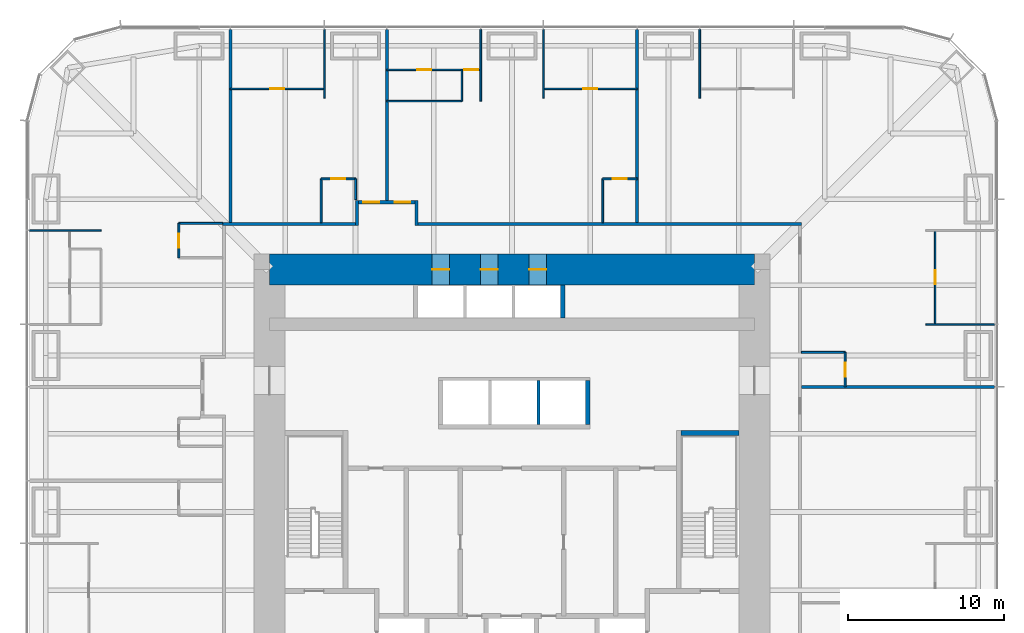
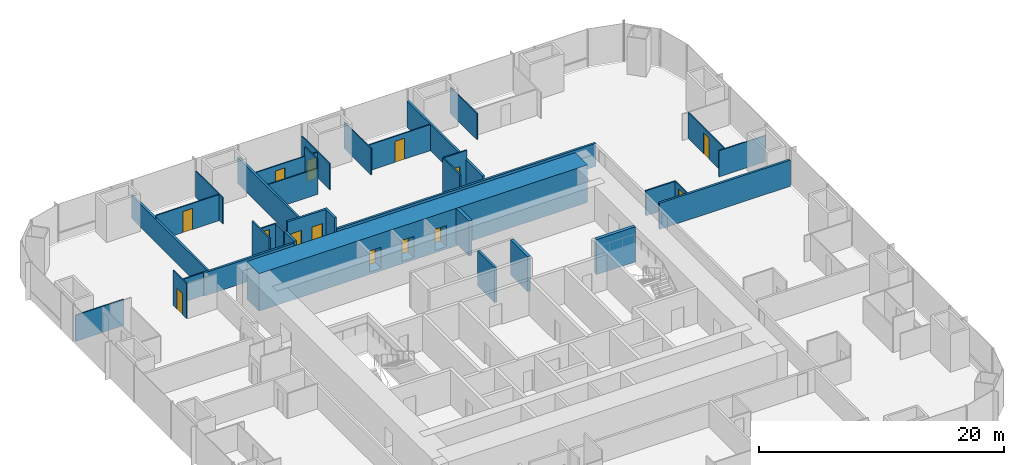
# One storey, part 15 of 17: 35 walls, 14 doors, 14 openings.
"""IFC4 building model written with IfcOpenShell, lengths in metres."""

import ifcopenshell
import ifcopenshell.guid

model = None  # the IFC model being written
_history = None  # IfcOwnerHistory: only IFC2X3 demands one
_inside = {}  # id of a spatial element -> (the spatial element, [elements in it])
_under = {}  # id of a project, library or spatial element -> (it, [spatial elements below it])
_declared = {}  # id of a project -> (the project, [libraries it declares])
_typed = {}  # id of a type object -> (the type object, [elements of that type])
_made_of = {}  # id of a material, layer set ... -> (it, [elements and type objects made of it])


def new_model(schema):
    """Start an empty IFC model of exactly this schema.

    Asked for "IFC4X3", IfcOpenShell would pick the latest addendum, in which some entities
    have other attributes; the version numbers below select the first issue.
    IFC2X3 requires an IfcOwnerHistory on every rooted entity: one is made here for all.
    """
    global model, _history
    if schema == "IFC4X3":
        model = ifcopenshell.file(schema_version=(4, 3, 0, 0))
    else:
        model = ifcopenshell.file(schema=schema)
    _inside.clear()
    _under.clear()
    _declared.clear()
    _typed.clear()
    _made_of.clear()
    _history = None
    if model.schema == "IFC2X3":
        org = make("IfcOrganization", Name="unknown")
        user = make(
            "IfcPersonAndOrganization",
            ThePerson=make("IfcPerson", FamilyName="unknown"),
            TheOrganization=org,
        )
        app = make(
            "IfcApplication",
            ApplicationDeveloper=org,
            Version="unknown",
            ApplicationFullName="unknown",
            ApplicationIdentifier="unknown",
        )
        _history = make(
            "IfcOwnerHistory",
            OwningUser=user,
            OwningApplication=app,
            ChangeAction="ADDED",
            CreationDate=0,
        )
    return model


def make(cls, **values):
    """One entity of the class cls with the attributes given. An attribute that is None is left unset."""
    return model.create_entity(
        cls, **{name: value for name, value in values.items() if value is not None}
    )


def rooted(cls, **values):
    """An entity with a GlobalId (a new one), such as an element, a storey or a relation."""
    return make(cls, GlobalId=ifcopenshell.guid.new(), OwnerHistory=_history, **values)


def si_unit(unit_type, name, prefix=None):
    """IfcSIUnit, for example si_unit("LENGTHUNIT", "METRE", prefix="MILLI")."""
    return make("IfcSIUnit", UnitType=unit_type, Prefix=prefix, Name=name)


def assignment(units):
    """IfcUnitAssignment: the units of a project."""
    return None if units is None else make("IfcUnitAssignment", Units=units)


def point(xyz):
    """IfcCartesianPoint."""
    return None if xyz is None else make("IfcCartesianPoint", Coordinates=xyz)


def direction(xyz):
    """IfcDirection."""
    return None if xyz is None else make("IfcDirection", DirectionRatios=xyz)


def frame(location, z_axis=None, x_axis=None):
    """IfcAxis2Placement3D, a coordinate frame: its origin and axes. An axis left out is left unset."""
    return make(
        "IfcAxis2Placement3D",
        Location=point(location),
        Axis=direction(z_axis),
        RefDirection=direction(x_axis),
    )


def frame_2d(location, x_axis=None):
    """IfcAxis2Placement2D, a coordinate frame in the plane: its origin and x axis."""
    return make(
        "IfcAxis2Placement2D", Location=point(location), RefDirection=direction(x_axis)
    )


def origin():
    """The frame at (0, 0, 0) with its axes left unset."""
    return frame((0.0, 0.0, 0.0))


def place(relative_to, where):
    """IfcLocalPlacement: puts the frame where relative to a parent placement (None: the world)."""
    return make(
        "IfcLocalPlacement", PlacementRelTo=relative_to, RelativePlacement=where
    )


def context(
    kind, dimensions, precision=None, world=None, true_north=None, identifier=None
):
    """IfcGeometricRepresentationContext, for example the 3D "Model" context."""
    return make(
        "IfcGeometricRepresentationContext",
        ContextIdentifier=identifier,
        ContextType=kind,
        CoordinateSpaceDimension=dimensions,
        Precision=precision,
        WorldCoordinateSystem=world,
        TrueNorth=true_north,
    )


def subcontext(parent, identifier, kind, view, scale=None):
    """IfcGeometricRepresentationSubContext, for example "Body" below "Model"."""
    return make(
        "IfcGeometricRepresentationSubContext",
        ContextIdentifier=identifier,
        ContextType=kind,
        ParentContext=parent,
        TargetScale=scale,
        TargetView=view,
    )


def project(units=None, contexts=None):
    """IfcProject with its units and contexts."""
    return rooted(
        "IfcProject",
        Name="project",
        RepresentationContexts=contexts,
        UnitsInContext=assignment(units),
    )


def spatial(cls, under=None, at=None, **own):
    """A site, building, storey or space (cls), placed at a placement, below another one or the project."""
    s = rooted(cls, ObjectPlacement=at, **own)
    if under is not None:
        _under.setdefault(under.id(), (under, []))[1].append(s)
    return s


def profile(cls, at=None, kind="AREA", **sizes):
    """A parametric profile (cls). Its sizes go by their IFC names, for example OverallWidth=200.0."""
    return make(cls, ProfileType=kind, Position=at, **sizes)


def rectangle(**sizes):
    """IfcRectangleProfileDef."""
    return profile("IfcRectangleProfileDef", **sizes)


def extrude(swept, where, along, depth):
    """IfcExtrudedAreaSolid: the profile swept, set in the frame where, extruded along a direction by depth."""
    return make(
        "IfcExtrudedAreaSolid",
        SweptArea=swept,
        Position=where,
        ExtrudedDirection=direction(along),
        Depth=depth,
    )


def shape(context_of_items, identifier, shape_type, items):
    """IfcShapeRepresentation: the items that make up one representation, for example the "Body"."""
    return make(
        "IfcShapeRepresentation",
        ContextOfItems=context_of_items,
        RepresentationIdentifier=identifier,
        RepresentationType=shape_type,
        Items=items,
    )


def material(Name=None, Category=None):
    """IfcMaterial."""
    return make("IfcMaterial", Name=Name, Category=Category)


def layer(
    of_material, thickness, ventilated=None, Name=None, Category=None, Priority=None
):
    """IfcMaterialLayer: one layer of a wall or slab, of a material (None: an air gap)."""
    return make(
        "IfcMaterialLayer",
        Material=of_material,
        LayerThickness=thickness,
        IsVentilated=ventilated,
        Name=Name,
        Category=Category,
        Priority=Priority,
    )


def layer_set(layers, Name=None):
    """IfcMaterialLayerSet."""
    return make("IfcMaterialLayerSet", MaterialLayers=layers, LayerSetName=Name)


def made_of(thing, what):
    """Note that an element or type object is made of a material, layer set ...; save() writes the relation."""
    if what is not None:
        _made_of.setdefault(what.id(), (what, []))[1].append(thing)
    return thing


def type_object(cls, material=None, **own):
    """A type object (cls), such as IfcWallType, which elements share."""
    return made_of(rooted(cls, **own), material)


def element(
    cls,
    number,
    at=None,
    inside=None,
    cuts=None,
    type_object=None,
    material=None,
    context=None,
    identifier="Body",
    shape_type=None,
    held_by="IfcProductDefinitionShape",
    body=None,
    shapes=None,
    **own,
):
    """One element of the class cls, such as IfcWall. Its Tag is "e" and its number.

    at: its placement. inside: the storey or other place that contains it. cuts: it is an
    opening in that element (IfcRelVoidsElement). A single representation is given by context,
    identifier, shape_type and body (its items); several are given by shapes. held_by: the class
    of the entity that holds the representations. save() writes the other relations.
    """
    e = rooted(cls, Tag="e%d" % number, ObjectPlacement=at, **own)
    if body is not None:
        shapes = [shape(context, identifier, shape_type, body)]
    if shapes is not None:
        e.Representation = make(held_by, Representations=shapes)
    if inside is not None:
        _inside.setdefault(inside.id(), (inside, []))[1].append(e)
    if cuts is not None:
        rooted(
            "IfcRelVoidsElement", RelatingBuildingElement=cuts, RelatedOpeningElement=e
        )
    if type_object is not None:
        _typed.setdefault(type_object.id(), (type_object, []))[1].append(e)
    return made_of(e, material)


def fill(opening, filler):
    """IfcRelFillsElement: the door or window that sits in an opening."""
    return rooted(
        "IfcRelFillsElement",
        RelatingOpeningElement=opening,
        RelatedBuildingElement=filler,
    )


def aggregate(whole, parts):
    """IfcRelAggregates: a whole, such as a stair, and the parts it consists of."""
    return rooted("IfcRelAggregates", RelatingObject=whole, RelatedObjects=parts)


def save(model, path):
    """Write the relations noted so far, then the file.

    IfcRelAggregates (storeys below a building ...), IfcRelContainedInSpatialStructure (elements
    in a storey), IfcRelDefinesByType, IfcRelAssociatesMaterial and IfcRelDeclares: one each for
    every whole, place, type object, material and project.
    """
    for whole, parts in _under.values():
        aggregate(whole, parts)
    for where, things in _inside.values():
        rooted(
            "IfcRelContainedInSpatialStructure",
            RelatedElements=things,
            RelatingStructure=where,
        )
    for kind, things in _typed.values():
        rooted("IfcRelDefinesByType", RelatedObjects=things, RelatingType=kind)
    for what, things in _made_of.values():
        rooted("IfcRelAssociatesMaterial", RelatedObjects=things, RelatingMaterial=what)
    for by, libraries in _declared.values():
        rooted("IfcRelDeclares", RelatingContext=by, RelatedDefinitions=libraries)
    model.write(path)


model = new_model("IFC4")

# Units and contexts
model_context = context("Model", 3, precision=1e-05, world=origin(), true_north=direction((0.0, 1.0)))
body_context = subcontext(model_context, "Body", "Model", "MODEL_VIEW")
ifc_project = project(units=[si_unit("LENGTHUNIT", "METRE"), si_unit("AREAUNIT", "SQUARE_METRE"), si_unit("VOLUMEUNIT", "CUBIC_METRE"), si_unit("PLANEANGLEUNIT", "RADIAN"), si_unit("MASSUNIT", "GRAM", prefix="KILO")], contexts=[model_context])

# Site, building, storey
site_placement = place(None, origin())
site = spatial("IfcSite", under=ifc_project, at=site_placement, CompositionType="ELEMENT")
building_placement = place(site_placement, origin())
building = spatial("IfcBuilding", under=site, at=building_placement, Name="Khuree Lantern Residences", CompositionType="ELEMENT")
storey_placement = place(building_placement, frame((0.0, 0.0, 92.25)))
storey = spatial("IfcBuildingStorey", under=building, at=storey_placement, Name="L23", CompositionType="ELEMENT", Elevation=92.25)

# Wall, opening, door
ifc_material_1 = material(Name="Moisture-resistant gypsum board on steel studs", Category="steel")
ifc_layer_1 = layer(ifc_material_1, 0.125)
ifc_layer_set_1 = layer_set([ifc_layer_1], Name="BATHROOM WALL BTW125")
wall_type_1 = type_object("IfcWallType", Name="BATHROOM WALL BTW125", PredefinedType="PARTITIONING", material=ifc_layer_set_1)
wall_1_placement = place(storey_placement, frame((21.300048828125, 8.0, 0.0), z_axis=(0.0, 0.0, 1.0), x_axis=(0.0, 1.0, 0.0)))
wall_1 = element("IfcWall", 1, at=wall_1_placement, inside=storey, type_object=wall_type_1, Name="L23 BATHROOM WALL 02", PredefinedType="PARTITIONING", context=body_context, shape_type="SweptSolid", body=[
    extrude(rectangle(XDim=2.199951171875, YDim=0.125, at=frame_2d((1.10009765625, 0.0))), origin(), (0.0, 0.0, 1.0), 2.491943359375),
])
opening_1_placement = place(wall_1_placement, frame((0.64990234375, 0.0, 0.0)))
opening_1 = element("IfcOpeningElement", 2, at=opening_1_placement, cuts=wall_1, Name="Opening 23-025", PredefinedType="OPENING", context=body_context, shape_type="SweptSolid", body=[
    extrude(rectangle(XDim=0.89990234375, YDim=2.10009765625, at=frame_2d((0.449951171875, 1.050048828125))), frame((0.0, 0.072509765625, 0.0), z_axis=(0.0, -1.0, 0.0), x_axis=(1.0, 0.0, 0.0)), (0.0, 0.0, 1.0), 0.14501953125),
])
ifc_material_2 = material(Name="Timber door leaf in hardwood frame", Category="wood")
door_type_1 = type_object("IfcDoorType", Name="BATHROOM DOOR 900X2100", OperationType="SINGLE_SWING_LEFT", PredefinedType="DOOR", material=ifc_material_2)
door_1_placement = place(opening_1_placement, origin())
door_1 = element("IfcDoor", 3, at=door_1_placement, inside=storey, type_object=door_type_1, Name="Bathroom door 23-025", OperationType="SINGLE_SWING_LEFT", OverallHeight=2.10009765625, OverallWidth=0.89990234375, PredefinedType="DOOR", context=body_context, shape_type="SweptSolid", body=[
    extrude(rectangle(XDim=0.89990234375, YDim=2.10009765625, at=frame_2d((0.449951171875, 1.050048828125))), frame((0.0, 0.02490234375, 0.0), z_axis=(0.0, -1.0, 0.0), x_axis=(1.0, 0.0, 0.0)), (0.0, 0.0, 1.0), 0.050048828125),
])
fill(opening_1, door_1)

# Wall
wall_2_placement = place(storey_placement, frame((18.5, 10.199951171875, 0.0), z_axis=(0.0, 0.0, 1.0), x_axis=(1.0, 0.0, 0.0)))
element("IfcWall", 4, at=wall_2_placement, inside=storey, type_object=wall_type_1, Name="L23 BATHROOM WALL 02", PredefinedType="PARTITIONING", context=body_context, shape_type="SweptSolid", body=[
    extrude(rectangle(XDim=2.800048828125, YDim=0.125, at=frame_2d((1.39990234375, 0.0))), origin(), (0.0, 0.0, 1.0), 2.491943359375),
])

# Wall, opening, door
wall_3_placement = place(storey_placement, frame((8.0, 21.300048828125, 0.0), z_axis=(0.0, 0.0, 1.0), x_axis=(-1.0, 0.0, 0.0)))
wall_3 = element("IfcWall", 5, at=wall_3_placement, inside=storey, type_object=wall_type_1, Name="L23 BATHROOM WALL 03", PredefinedType="PARTITIONING", context=body_context, shape_type="SweptSolid", body=[
    extrude(rectangle(XDim=2.199951171875, YDim=0.125, at=frame_2d((1.10009765625, 0.0))), origin(), (0.0, 0.0, 1.0), 3.5),
])
opening_2_placement = place(wall_3_placement, frame((0.64990234375, 0.0, 0.0)))
opening_2 = element("IfcOpeningElement", 6, at=opening_2_placement, cuts=wall_3, Name="Opening 23-030", PredefinedType="OPENING", context=body_context, shape_type="SweptSolid", body=[
    extrude(rectangle(XDim=0.89990234375, YDim=2.10009765625, at=frame_2d((0.449951171875, 1.050048828125))), frame((0.0, 0.072509765625, 0.0), z_axis=(0.0, -1.0, 0.0), x_axis=(1.0, 0.0, 0.0)), (0.0, 0.0, 1.0), 0.14501953125),
])
door_2_placement = place(opening_2_placement, origin())
door_2 = element("IfcDoor", 7, at=door_2_placement, inside=storey, type_object=door_type_1, Name="Bathroom door 23-030", OperationType="SINGLE_SWING_LEFT", OverallHeight=2.10009765625, OverallWidth=0.89990234375, PredefinedType="DOOR", context=body_context, shape_type="SweptSolid", body=[
    extrude(rectangle(XDim=0.89990234375, YDim=2.10009765625, at=frame_2d((0.449951171875, 1.050048828125))), frame((0.0, 0.02490234375, 0.0), z_axis=(0.0, -1.0, 0.0), x_axis=(1.0, 0.0, 0.0)), (0.0, 0.0, 1.0), 0.050048828125),
])
fill(opening_2, door_2)

# Wall
wall_4_placement = place(storey_placement, frame((5.800048828125, 18.5, 0.0), z_axis=(0.0, 0.0, 1.0), x_axis=(0.0, 1.0, 0.0)))
element("IfcWall", 8, at=wall_4_placement, inside=storey, type_object=wall_type_1, Name="L23 BATHROOM WALL 03", PredefinedType="PARTITIONING", context=body_context, shape_type="SweptSolid", body=[
    extrude(rectangle(XDim=2.800048828125, YDim=0.125, at=frame_2d((1.39990234375, 0.0))), origin(), (0.0, 0.0, 1.0), 3.5),
])

# Wall, opening, door
wall_5_placement = place(storey_placement, frame((-10.0, 21.300048828125, 0.0), z_axis=(0.0, 0.0, 1.0), x_axis=(-1.0, 0.0, 0.0)))
wall_5 = element("IfcWall", 9, at=wall_5_placement, inside=storey, type_object=wall_type_1, Name="L23 BATHROOM WALL 04", PredefinedType="PARTITIONING", context=body_context, shape_type="SweptSolid", body=[
    extrude(rectangle(XDim=2.199951171875, YDim=0.125, at=frame_2d((1.10009765625, 0.0))), origin(), (0.0, 0.0, 1.0), 2.491943359375),
])
opening_3_placement = place(wall_5_placement, frame((0.64990234375, 0.0, 0.0)))
opening_3 = element("IfcOpeningElement", 10, at=opening_3_placement, cuts=wall_5, Name="Opening 23-033", PredefinedType="OPENING", context=body_context, shape_type="SweptSolid", body=[
    extrude(rectangle(XDim=0.89990234375, YDim=2.10009765625, at=frame_2d((0.449951171875, 1.050048828125))), frame((0.0, 0.072509765625, 0.0), z_axis=(0.0, -1.0, 0.0), x_axis=(1.0, 0.0, 0.0)), (0.0, 0.0, 1.0), 0.14501953125),
])
door_3_placement = place(opening_3_placement, origin())
door_3 = element("IfcDoor", 11, at=door_3_placement, inside=storey, type_object=door_type_1, Name="Bathroom door 23-033", OperationType="SINGLE_SWING_LEFT", OverallHeight=2.10009765625, OverallWidth=0.89990234375, PredefinedType="DOOR", context=body_context, shape_type="SweptSolid", body=[
    extrude(rectangle(XDim=0.89990234375, YDim=2.10009765625, at=frame_2d((0.449951171875, 1.050048828125))), frame((0.0, 0.02490234375, 0.0), z_axis=(0.0, -1.0, 0.0), x_axis=(1.0, 0.0, 0.0)), (0.0, 0.0, 1.0), 0.050048828125),
])
fill(opening_3, door_3)

# Walls
wall_6_placement = place(storey_placement, frame((-10.0, 19.969970703125, 0.0), z_axis=(0.0, 0.0, 1.0), x_axis=(0.0, 1.0, 0.0)))
element("IfcWall", 12, at=wall_6_placement, inside=storey, type_object=wall_type_1, Name="L23 BATHROOM WALL 04", PredefinedType="PARTITIONING", context=body_context, shape_type="SweptSolid", body=[
    extrude(rectangle(XDim=1.330078125, YDim=0.125, at=frame_2d((0.6650390625, 0.0))), origin(), (0.0, 0.0, 1.0), 2.491943359375),
])
wall_7_placement = place(storey_placement, frame((-12.199951171875, 18.5, 0.0), z_axis=(0.0, 0.0, 1.0), x_axis=(0.0, 1.0, 0.0)))
element("IfcWall", 13, at=wall_7_placement, inside=storey, type_object=wall_type_1, Name="L23 BATHROOM WALL 04", PredefinedType="PARTITIONING", context=body_context, shape_type="SweptSolid", body=[
    extrude(rectangle(XDim=2.800048828125, YDim=0.125, at=frame_2d((1.39990234375, 0.0))), origin(), (0.0, 0.0, 1.0), 3.5),
])

# Wall, opening, door
wall_8_placement = place(storey_placement, frame((-21.300048828125, 18.449951171875, 0.0), z_axis=(0.0, 0.0, 1.0), x_axis=(0.0, -1.0, 0.0)))
wall_8 = element("IfcWall", 14, at=wall_8_placement, inside=storey, type_object=wall_type_1, Name="L23 BATHROOM WALL 05", PredefinedType="PARTITIONING", context=body_context, shape_type="SweptSolid", body=[
    extrude(rectangle(XDim=2.199951171875, YDim=0.125, at=frame_2d((1.10009765625, 0.0))), origin(), (0.0, 0.0, 1.0), 3.5),
])
opening_4_placement = place(wall_8_placement, frame((0.64990234375, 0.0, 0.0)))
opening_4 = element("IfcOpeningElement", 15, at=opening_4_placement, cuts=wall_8, Name="Opening 23-037", PredefinedType="OPENING", context=body_context, shape_type="SweptSolid", body=[
    extrude(rectangle(XDim=0.89990234375, YDim=2.10009765625, at=frame_2d((0.449951171875, 1.050048828125))), frame((0.0, 0.072509765625, 0.0), z_axis=(0.0, -1.0, 0.0), x_axis=(1.0, 0.0, 0.0)), (0.0, 0.0, 1.0), 0.14501953125),
])
door_4_placement = place(opening_4_placement, origin())
door_4 = element("IfcDoor", 16, at=door_4_placement, inside=storey, type_object=door_type_1, Name="Bathroom door 23-037", OperationType="SINGLE_SWING_LEFT", OverallHeight=2.10009765625, OverallWidth=0.89990234375, PredefinedType="DOOR", context=body_context, shape_type="SweptSolid", body=[
    extrude(rectangle(XDim=0.89990234375, YDim=2.10009765625, at=frame_2d((0.449951171875, 1.050048828125))), frame((0.0, 0.02490234375, 0.0), z_axis=(0.0, -1.0, 0.0), x_axis=(1.0, 0.0, 0.0)), (0.0, 0.0, 1.0), 0.050048828125),
])
fill(opening_4, door_4)

# Walls
wall_9_placement = place(storey_placement, frame((-18.5, 18.449951171875, 0.0), z_axis=(0.0, 0.0, 1.0), x_axis=(-1.0, 0.0, 0.0)))
element("IfcWall", 17, at=wall_9_placement, inside=storey, type_object=wall_type_1, Name="L23 BATHROOM WALL 05", PredefinedType="PARTITIONING", context=body_context, shape_type="SweptSolid", body=[
    extrude(rectangle(XDim=2.800048828125, YDim=0.125, at=frame_2d((1.39990234375, 0.0))), origin(), (0.0, 0.0, 1.0), 2.300048828125),
])
ifc_material_3 = material(Name="Dense concrete blockwork", Category="masonry")
ifc_layer_2 = layer(ifc_material_3, 0.300048828125)
ifc_layer_set_2 = layer_set([ifc_layer_2], Name="CORE PARTITION WALL CPW300 EI 120")
wall_type_2 = type_object("IfcWallType", Name="CORE PARTITION WALL CPW300 EI 120", PredefinedType="PARTITIONING", material=ifc_layer_set_2)
wall_10_placement = place(storey_placement, frame((4.85009765625, 5.60009765625, 0.0), z_axis=(0.0, 0.0, 1.0), x_axis=(0.0, 1.0, 0.0)))
element("IfcWall", 18, at=wall_10_placement, inside=storey, type_object=wall_type_2, Name="L23 CORE WALL PHE", PredefinedType="PARTITIONING", context=body_context, shape_type="SweptSolid", body=[
    extrude(rectangle(XDim=2.7998046875, YDim=0.300048828125, at=frame_2d((1.39990234375, 0.0))), origin(), (0.0, 0.0, 1.0), 3.5),
])
wall_11_placement = place(storey_placement, frame((3.25, 12.39990234375, 0.0), z_axis=(0.0, 0.0, 1.0), x_axis=(0.0, 1.0, 0.0)))
element("IfcWall", 19, at=wall_11_placement, inside=storey, type_object=wall_type_2, Name="L23 CORE WALL PLE", PredefinedType="PARTITIONING", context=body_context, shape_type="SweptSolid", body=[
    extrude(rectangle(XDim=2.10009765625, YDim=0.300048828125, at=frame_2d((1.050048828125, 0.0))), origin(), (0.0, 0.0, 1.0), 3.5),
])
ifc_material_4 = material(Name="Gypsum board on steel studs", Category="steel")
ifc_layer_3 = layer(ifc_material_4, 0.199951171875)
ifc_layer_set_3 = layer_set([ifc_layer_3], Name="CORRIDOR WALL CRW200 EI 60")
wall_type_3 = type_object("IfcWallType", Name="CORRIDOR WALL CRW200 EI 60", PredefinedType="PARTITIONING", material=ifc_layer_set_3)
wall_12_placement = place(storey_placement, frame((-18.5, 18.39990234375, 0.0), z_axis=(0.0, 0.0, 1.0), x_axis=(1.0, 0.0, 0.0)))
element("IfcWall", 20, at=wall_12_placement, inside=storey, type_object=wall_type_3, Name="L23 CORRIDOR WALL NORTH 1", PredefinedType="PARTITIONING", context=body_context, shape_type="SweptSolid", body=[
    extrude(rectangle(XDim=8.5, YDim=0.199951171875, at=frame_2d((4.25, 0.0))), origin(), (0.0, 0.0, 1.0), 2.300048828125),
])
wall_13_placement = place(storey_placement, frame((-9.89990234375, 18.300048828125, 0.0), z_axis=(0.0, 0.0, 1.0), x_axis=(0.0, 1.0, 0.0)))
element("IfcWall", 21, at=wall_13_placement, inside=storey, type_object=wall_type_3, Name="L23 CORRIDOR ALCOVE WALL NORTH", PredefinedType="PARTITIONING", context=body_context, shape_type="SweptSolid", body=[
    extrude(rectangle(XDim=1.599853515625, YDim=0.199951171875, at=frame_2d((0.7998046875, 0.0))), origin(), (0.0, 0.0, 1.0), 2.491943359375),
])
wall_14_placement = place(storey_placement, frame((-6.10009765625, 18.300048828125, 0.0), z_axis=(0.0, 0.0, 1.0), x_axis=(0.0, 1.0, 0.0)))
element("IfcWall", 22, at=wall_14_placement, inside=storey, type_object=wall_type_3, Name="L23 CORRIDOR ALCOVE WALL NORTH", PredefinedType="PARTITIONING", context=body_context, shape_type="SweptSolid", body=[
    extrude(rectangle(XDim=1.599853515625, YDim=0.199951171875, at=frame_2d((0.7998046875, 0.0))), origin(), (0.0, 0.0, 1.0), 3.5),
])

# Wall, openings, doors
wall_15_placement = place(storey_placement, frame((-9.800048828125, 19.800048828125, 0.0), z_axis=(0.0, 0.0, 1.0), x_axis=(1.0, 0.0, 0.0)))
wall_15 = element("IfcWall", 23, at=wall_15_placement, inside=storey, type_object=wall_type_3, Name="L23 CORRIDOR ALCOVE WALL NORTH", PredefinedType="PARTITIONING", context=body_context, shape_type="SweptSolid", body=[
    extrude(rectangle(XDim=3.60009765625, YDim=0.199951171875, at=frame_2d((1.800048828125, 0.0))), origin(), (0.0, 0.0, 1.0), 3.5),
])
opening_5_placement = place(wall_15_placement, frame((2.300048828125, 0.0, 0.0)))
opening_5 = element("IfcOpeningElement", 24, at=opening_5_placement, cuts=wall_15, Name="Opening 23-031", PredefinedType="OPENING", context=body_context, shape_type="SweptSolid", body=[
    extrude(rectangle(XDim=1.0, YDim=2.199951171875, at=frame_2d((0.5, 1.10009765625))), frame((0.0, 0.10986328125, 0.0), z_axis=(0.0, -1.0, 0.0), x_axis=(1.0, 0.0, 0.0)), (0.0, 0.0, 1.0), 0.219970703125),
])
opening_6_placement = place(wall_15_placement, frame((0.300048828125, 0.0, 0.0)))
opening_6 = element("IfcOpeningElement", 25, at=opening_6_placement, cuts=wall_15, Name="Opening 23-034", PredefinedType="OPENING", context=body_context, shape_type="SweptSolid", body=[
    extrude(rectangle(XDim=1.0, YDim=2.199951171875, at=frame_2d((0.5, 1.10009765625))), frame((0.0, 0.10986328125, 0.0), z_axis=(0.0, -1.0, 0.0), x_axis=(1.0, 0.0, 0.0)), (0.0, 0.0, 1.0), 0.219970703125),
])
door_type_2 = type_object("IfcDoorType", Name="APARTMENT ENTRANCE DOOR 1000X2200 EI 30S", OperationType="SINGLE_SWING_LEFT", PredefinedType="DOOR", material=ifc_material_2)
door_5_placement = place(opening_5_placement, origin())
door_5 = element("IfcDoor", 26, at=door_5_placement, inside=storey, type_object=door_type_2, Name="Apartment 03 entrance door 23-031", OperationType="SINGLE_SWING_LEFT", OverallHeight=2.199951171875, OverallWidth=1.0, PredefinedType="DOOR", context=body_context, shape_type="SweptSolid", body=[
    extrude(rectangle(XDim=1.0, YDim=2.199951171875, at=frame_2d((0.5, 1.10009765625))), frame((0.0, 0.02490234375, 0.0), z_axis=(0.0, -1.0, 0.0), x_axis=(1.0, 0.0, 0.0)), (0.0, 0.0, 1.0), 0.050048828125),
])
fill(opening_5, door_5)
door_6_placement = place(opening_6_placement, origin())
door_6 = element("IfcDoor", 27, at=door_6_placement, inside=storey, type_object=door_type_2, Name="Apartment 04 entrance door 23-034", OperationType="SINGLE_SWING_LEFT", OverallHeight=2.199951171875, OverallWidth=1.0, PredefinedType="DOOR", context=body_context, shape_type="SweptSolid", body=[
    extrude(rectangle(XDim=1.0, YDim=2.199951171875, at=frame_2d((0.5, 1.10009765625))), frame((0.0, 0.02490234375, 0.0), z_axis=(0.0, -1.0, 0.0), x_axis=(1.0, 0.0, 0.0)), (0.0, 0.0, 1.0), 0.050048828125),
])
fill(opening_6, door_6)

# Wall
wall_16_placement = place(storey_placement, frame((-6.0, 18.39990234375, 0.0), z_axis=(0.0, 0.0, 1.0), x_axis=(1.0, 0.0, 0.0)))
element("IfcWall", 28, at=wall_16_placement, inside=storey, type_object=wall_type_3, Name="L23 CORRIDOR WALL NORTH 2", PredefinedType="PARTITIONING", context=body_context, shape_type="SweptSolid", body=[
    extrude(rectangle(XDim=24.5, YDim=0.199951171875, at=frame_2d((12.25, 0.0))), origin(), (0.0, 0.0, 1.0), 2.300048828125),
])

# Wall, openings, doors
ifc_material_5 = material(Name="Concrete C70/85", Category="concrete")
ifc_layer_4 = layer(ifc_material_5, 2.0)
ifc_layer_set_4 = layer_set([ifc_layer_4], Name="CW2000-C70 CORE WALL C70 2000")
wall_type_4 = type_object("IfcWallType", Name="CW2000-C70 CORE WALL C70 2000", PredefinedType="SHEAR", material=ifc_layer_set_4)
wall_17_placement = place(storey_placement, frame((-15.5, 15.5, -0.25), z_axis=(0.0, 0.0, 1.0), x_axis=(1.0, 0.0, 0.0)))
wall_17 = element("IfcWall", 29, at=wall_17_placement, inside=storey, type_object=wall_type_4, Name="Core wall N", PredefinedType="SHEAR", context=body_context, shape_type="SweptSolid", body=[
    extrude(rectangle(XDim=31.0, YDim=2.0, at=frame_2d((15.5, 0.0))), origin(), (0.0, 0.0, 1.0), 3.75),
])
opening_7_placement = place(wall_17_placement, frame((10.39990234375, 0.0, 0.25)))
opening_7 = element("IfcOpeningElement", 30, at=opening_7_placement, cuts=wall_17, Name="Opening 23-009", PredefinedType="OPENING", context=body_context, shape_type="SweptSolid", body=[
    extrude(rectangle(XDim=1.10009765625, YDim=2.10009765625, at=frame_2d((0.550048828125, 1.050048828125))), frame((0.0, 1.010009765625, 0.0), z_axis=(0.0, -1.0, 0.0), x_axis=(1.0, 0.0, 0.0)), (0.0, 0.0, 1.0), 2.02001953125),
])
opening_8_placement = place(wall_17_placement, frame((13.5, 0.0, 0.25)))
opening_8 = element("IfcOpeningElement", 31, at=opening_8_placement, cuts=wall_17, Name="Opening 23-010", PredefinedType="OPENING", context=body_context, shape_type="SweptSolid", body=[
    extrude(rectangle(XDim=1.10009765625, YDim=2.10009765625, at=frame_2d((0.550048828125, 1.050048828125))), frame((0.0, 1.010009765625, 0.0), z_axis=(0.0, -1.0, 0.0), x_axis=(1.0, 0.0, 0.0)), (0.0, 0.0, 1.0), 2.02001953125),
])
opening_9_placement = place(wall_17_placement, frame((16.60009765625, 0.0, 0.25)))
opening_9 = element("IfcOpeningElement", 32, at=opening_9_placement, cuts=wall_17, Name="Opening 23-011", PredefinedType="OPENING", context=body_context, shape_type="SweptSolid", body=[
    extrude(rectangle(XDim=1.10009765625, YDim=2.10009765625, at=frame_2d((0.550048828125, 1.050048828125))), frame((0.0, 1.010009765625, 0.0), z_axis=(0.0, -1.0, 0.0), x_axis=(1.0, 0.0, 0.0)), (0.0, 0.0, 1.0), 2.02001953125),
])
ifc_material_6 = material(Name="Stainless steel lift landing door", Category="steel")
door_type_3 = type_object("IfcDoorType", Name="LIFT LANDING DOOR 1100X2100 E 60", OperationType="DOUBLE_DOOR_SLIDING", PredefinedType="DOOR", material=ifc_material_6)
door_7_placement = place(opening_7_placement, origin())
door_7 = element("IfcDoor", 33, at=door_7_placement, inside=storey, type_object=door_type_3, Name="Landing door PL1 23-009", OperationType="DOUBLE_DOOR_SLIDING", OverallHeight=2.10009765625, OverallWidth=1.10009765625, PredefinedType="DOOR", context=body_context, shape_type="SweptSolid", body=[
    extrude(rectangle(XDim=1.10009765625, YDim=2.10009765625, at=frame_2d((0.550048828125, 1.050048828125))), frame((0.0, 0.02490234375, 0.0), z_axis=(0.0, -1.0, 0.0), x_axis=(1.0, 0.0, 0.0)), (0.0, 0.0, 1.0), 0.050048828125),
])
fill(opening_7, door_7)
door_8_placement = place(opening_8_placement, origin())
door_8 = element("IfcDoor", 34, at=door_8_placement, inside=storey, type_object=door_type_3, Name="Landing door PL2 23-010", OperationType="DOUBLE_DOOR_SLIDING", OverallHeight=2.10009765625, OverallWidth=1.10009765625, PredefinedType="DOOR", context=body_context, shape_type="SweptSolid", body=[
    extrude(rectangle(XDim=1.10009765625, YDim=2.10009765625, at=frame_2d((0.550048828125, 1.050048828125))), frame((0.0, 0.02490234375, 0.0), z_axis=(0.0, -1.0, 0.0), x_axis=(1.0, 0.0, 0.0)), (0.0, 0.0, 1.0), 0.050048828125),
])
fill(opening_8, door_8)
door_9_placement = place(opening_9_placement, origin())
door_9 = element("IfcDoor", 35, at=door_9_placement, inside=storey, type_object=door_type_3, Name="Landing door PL3 23-011", OperationType="DOUBLE_DOOR_SLIDING", OverallHeight=2.10009765625, OverallWidth=1.10009765625, PredefinedType="DOOR", context=body_context, shape_type="SweptSolid", body=[
    extrude(rectangle(XDim=1.10009765625, YDim=2.10009765625, at=frame_2d((0.550048828125, 1.050048828125))), frame((0.0, 0.02490234375, 0.0), z_axis=(0.0, -1.0, 0.0), x_axis=(1.0, 0.0, 0.0)), (0.0, 0.0, 1.0), 0.050048828125),
])
fill(opening_9, door_9)

# Walls
ifc_layer_5 = layer(ifc_material_4, 0.199951171875)
ifc_layer_set_5 = layer_set([ifc_layer_5], Name="DEMISING WALL DMW200 EI 90")
wall_type_5 = type_object("IfcWallType", Name="DEMISING WALL DMW200 EI 90", PredefinedType="PARTITIONING", material=ifc_layer_set_5)
for number, where, z_axis, x_axis, name in (
    (36, (18.5, 8.0, 0.0), (0.0, 0.0, 1.0), (1.0, 0.0, 0.0), "L23 DEMISING WALL 02"),
    (37, (8.0, 18.5, 0.0), (0.0, 0.0, 1.0), (0.0, 1.0, 0.0), "L23 DEMISING WALL 03"),
):
    element("IfcWall", number, at=place(storey_placement, frame(where, z_axis=z_axis, x_axis=x_axis)), inside=storey, type_object=wall_type_5, Name=name, PredefinedType="PARTITIONING", context=body_context, shape_type="SweptSolid", body=[
        extrude(rectangle(XDim=12.35009765625, YDim=0.199951171875, at=frame_2d((6.175048828125, 0.0))), origin(), (0.0, 0.0, 1.0), 2.610107421875),
    ])
wall_18_placement = place(storey_placement, frame((-8.0, 19.89990234375, 0.0), z_axis=(0.0, 0.0, 1.0), x_axis=(0.0, 1.0, 0.0)))
element("IfcWall", 38, at=wall_18_placement, inside=storey, type_object=wall_type_5, Name="L23 DEMISING WALL 04", PredefinedType="PARTITIONING", context=body_context, shape_type="SweptSolid", body=[
    extrude(rectangle(XDim=10.9501953125, YDim=0.199951171875, at=frame_2d((5.47509765625, 0.0))), origin(), (0.0, 0.0, 1.0), 2.610107421875),
])
wall_19_placement = place(storey_placement, frame((-18.0, 18.5, 0.0), z_axis=(0.0, 0.0, 1.0), x_axis=(0.0, 1.0, 0.0)))
element("IfcWall", 39, at=wall_19_placement, inside=storey, type_object=wall_type_5, Name="L23 DEMISING WALL 05", PredefinedType="PARTITIONING", context=body_context, shape_type="SweptSolid", body=[
    extrude(rectangle(XDim=12.35009765625, YDim=0.199951171875, at=frame_2d((6.175048828125, 0.0))), origin(), (0.0, 0.0, 1.0), 2.300048828125),
])
ifc_layer_6 = layer(ifc_material_4, 0.10009765625)
ifc_layer_set_6 = layer_set([ifc_layer_6], Name="PARTITION PT100")
wall_type_6 = type_object("IfcWallType", Name="PARTITION PT100", PredefinedType="PARTITIONING", material=ifc_layer_set_6)
for number, where, z_axis, x_axis, name in (
    (40, (26.449951171875, 12.0, 0.0), (0.0, 0.0, 1.0), (1.0, 0.0, 0.0), "L23 PARTITION 02"),
    (41, (12.0, 26.449951171875, 0.0), (0.0, 0.0, 1.0), (0.0, 1.0, 0.0), "L23 PARTITION 02"),
    (42, (2.0, 26.449951171875, 0.0), (0.0, 0.0, 1.0), (0.0, 1.0, 0.0), "L23 PARTITION 03"),
):
    element("IfcWall", number, at=place(storey_placement, frame(where, z_axis=z_axis, x_axis=x_axis)), inside=storey, type_object=wall_type_6, Name=name, PredefinedType="PARTITIONING", context=body_context, shape_type="SweptSolid", body=[
        extrude(rectangle(XDim=4.400146484375, YDim=0.10009765625, at=frame_2d((2.2001953125, 0.0))), origin(), (0.0, 0.0, 1.0), 2.610107421875),
    ])
wall_20_placement = place(storey_placement, frame((-2.0, 26.2666015625, 0.0), z_axis=(0.0, 0.0, 1.0), x_axis=(0.0, 1.0, 0.0)))
element("IfcWall", 43, at=wall_20_placement, inside=storey, type_object=wall_type_6, Name="L23 PARTITION 03", PredefinedType="PARTITIONING", context=body_context, shape_type="SweptSolid", body=[
    extrude(rectangle(XDim=4.58349609375, YDim=0.10009765625, at=frame_2d((2.291748046875, 0.0))), origin(), (0.0, 0.0, 1.0), 2.610107421875),
])
wall_21_placement = place(storey_placement, frame((-12.0, 26.449951171875, 0.0), z_axis=(0.0, 0.0, 1.0), x_axis=(0.0, 1.0, 0.0)))
element("IfcWall", 44, at=wall_21_placement, inside=storey, type_object=wall_type_6, Name="L23 PARTITION 04", PredefinedType="PARTITIONING", context=body_context, shape_type="SweptSolid", body=[
    extrude(rectangle(XDim=4.400146484375, YDim=0.10009765625, at=frame_2d((2.2001953125, 0.0))), origin(), (0.0, 0.0, 1.0), 2.610107421875),
])
wall_22_placement = place(storey_placement, frame((-26.2666015625, 18.0, 0.0), z_axis=(0.0, 0.0, 1.0), x_axis=(-1.0, 0.0, 0.0)))
element("IfcWall", 45, at=wall_22_placement, inside=storey, type_object=wall_type_6, Name="L23 PARTITION 05", PredefinedType="PARTITIONING", context=body_context, shape_type="SweptSolid", body=[
    extrude(rectangle(XDim=4.58349609375, YDim=0.10009765625, at=frame_2d((2.291748046875, 0.0))), origin(), (0.0, 0.0, 1.0), 2.610107421875),
])

# Wall, opening, door
wall_23_placement = place(storey_placement, frame((27.050048828125, 12.0, 0.0), z_axis=(0.0, 0.0, 1.0), x_axis=(0.0, 1.0, 0.0)))
wall_23 = element("IfcWall", 46, at=wall_23_placement, inside=storey, type_object=wall_type_6, Name="L23 PARTITION 02", PredefinedType="PARTITIONING", context=body_context, shape_type="SweptSolid", body=[
    extrude(rectangle(XDim=6.0, YDim=0.10009765625, at=frame_2d((3.0, 0.0))), origin(), (0.0, 0.0, 1.0), 2.60009765625),
])
opening_10_placement = place(wall_23_placement, frame((2.550048828125, 0.0, 0.0)))
opening_10 = element("IfcOpeningElement", 47, at=opening_10_placement, cuts=wall_23, Name="Opening 23-023", PredefinedType="OPENING", context=body_context, shape_type="SweptSolid", body=[
    extrude(rectangle(XDim=0.89990234375, YDim=2.10009765625, at=frame_2d((0.449951171875, 1.050048828125))), frame((0.0, 0.06005859375, 0.0), z_axis=(0.0, -1.0, 0.0), x_axis=(1.0, 0.0, 0.0)), (0.0, 0.0, 1.0), 0.1201171875),
])
door_type_4 = type_object("IfcDoorType", Name="BEDROOM DOOR 900X2100", OperationType="SINGLE_SWING_LEFT", PredefinedType="DOOR", material=ifc_material_2)
door_10_placement = place(opening_10_placement, origin())
door_10 = element("IfcDoor", 48, at=door_10_placement, inside=storey, type_object=door_type_4, Name="Bedroom door 23-023", OperationType="SINGLE_SWING_LEFT", OverallHeight=2.10009765625, OverallWidth=0.89990234375, PredefinedType="DOOR", context=body_context, shape_type="SweptSolid", body=[
    extrude(rectangle(XDim=0.89990234375, YDim=2.10009765625, at=frame_2d((0.449951171875, 1.050048828125))), frame((0.0, 0.02490234375, 0.0), z_axis=(0.0, -1.0, 0.0), x_axis=(1.0, 0.0, 0.0)), (0.0, 0.0, 1.0), 0.050048828125),
])
fill(opening_10, door_10)

wall_24_placement = place(storey_placement, frame((8.0, 27.050048828125, 0.0), z_axis=(0.0, 0.0, 1.0), x_axis=(-1.0, 0.0, 0.0)))
wall_24 = element("IfcWall", 49, at=wall_24_placement, inside=storey, type_object=wall_type_6, Name="L23 PARTITION 03", PredefinedType="PARTITIONING", context=body_context, shape_type="SweptSolid", body=[
    extrude(rectangle(XDim=6.0, YDim=0.10009765625, at=frame_2d((3.0, 0.0))), origin(), (0.0, 0.0, 1.0), 2.60009765625),
])
opening_11_placement = place(wall_24_placement, frame((2.550048828125, 0.0, 0.0)))
opening_11 = element("IfcOpeningElement", 50, at=opening_11_placement, cuts=wall_24, Name="Opening 23-027", PredefinedType="OPENING", context=body_context, shape_type="SweptSolid", body=[
    extrude(rectangle(XDim=0.89990234375, YDim=2.10009765625, at=frame_2d((0.449951171875, 1.050048828125))), frame((0.0, 0.06005859375, 0.0), z_axis=(0.0, -1.0, 0.0), x_axis=(1.0, 0.0, 0.0)), (0.0, 0.0, 1.0), 0.1201171875),
])
door_11_placement = place(opening_11_placement, origin())
door_11 = element("IfcDoor", 51, at=door_11_placement, inside=storey, type_object=door_type_4, Name="Bedroom door 23-027", OperationType="SINGLE_SWING_LEFT", OverallHeight=2.10009765625, OverallWidth=0.89990234375, PredefinedType="DOOR", context=body_context, shape_type="SweptSolid", body=[
    extrude(rectangle(XDim=0.89990234375, YDim=2.10009765625, at=frame_2d((0.449951171875, 1.050048828125))), frame((0.0, 0.02490234375, 0.0), z_axis=(0.0, -1.0, 0.0), x_axis=(1.0, 0.0, 0.0)), (0.0, 0.0, 1.0), 0.050048828125),
])
fill(opening_11, door_11)

# Wall, openings, doors
wall_25_placement = place(storey_placement, frame((-2.0, 28.2666015625, 0.0), z_axis=(0.0, 0.0, 1.0), x_axis=(-1.0, 0.0, 0.0)))
wall_25 = element("IfcWall", 52, at=wall_25_placement, inside=storey, type_object=wall_type_6, Name="L23 PARTITION 03", PredefinedType="PARTITIONING", context=body_context, shape_type="SweptSolid", body=[
    extrude(rectangle(XDim=6.0, YDim=0.10009765625, at=frame_2d((3.0, 0.0))), origin(), (0.0, 0.0, 1.0), 2.60009765625),
])
opening_12_placement = place(wall_25_placement, frame((0.14990234375, 0.0, 0.0)))
opening_12 = element("IfcOpeningElement", 53, at=opening_12_placement, cuts=wall_25, Name="Opening 23-028", PredefinedType="OPENING", context=body_context, shape_type="SweptSolid", body=[
    extrude(rectangle(XDim=0.89990234375, YDim=2.10009765625, at=frame_2d((0.449951171875, 1.050048828125))), frame((0.0, 0.06005859375, 0.0), z_axis=(0.0, -1.0, 0.0), x_axis=(1.0, 0.0, 0.0)), (0.0, 0.0, 1.0), 0.1201171875),
])
opening_13_placement = place(wall_25_placement, frame((3.14990234375, 0.0, 0.0)))
opening_13 = element("IfcOpeningElement", 54, at=opening_13_placement, cuts=wall_25, Name="Opening 23-029", PredefinedType="OPENING", context=body_context, shape_type="SweptSolid", body=[
    extrude(rectangle(XDim=0.89990234375, YDim=2.10009765625, at=frame_2d((0.449951171875, 1.050048828125))), frame((0.0, 0.06005859375, 0.0), z_axis=(0.0, -1.0, 0.0), x_axis=(1.0, 0.0, 0.0)), (0.0, 0.0, 1.0), 0.1201171875),
])
door_12_placement = place(opening_12_placement, origin())
door_12 = element("IfcDoor", 55, at=door_12_placement, inside=storey, type_object=door_type_4, Name="Bedroom door 23-028", OperationType="SINGLE_SWING_LEFT", OverallHeight=2.10009765625, OverallWidth=0.89990234375, PredefinedType="DOOR", context=body_context, shape_type="SweptSolid", body=[
    extrude(rectangle(XDim=0.89990234375, YDim=2.10009765625, at=frame_2d((0.449951171875, 1.050048828125))), frame((0.0, 0.02490234375, 0.0), z_axis=(0.0, -1.0, 0.0), x_axis=(1.0, 0.0, 0.0)), (0.0, 0.0, 1.0), 0.050048828125),
])
fill(opening_12, door_12)
door_type_5 = type_object("IfcDoorType", Name="DOOR 900X2100", OperationType="SINGLE_SWING_LEFT", PredefinedType="DOOR", material=ifc_material_2)
door_13_placement = place(opening_13_placement, origin())
door_13 = element("IfcDoor", 56, at=door_13_placement, inside=storey, type_object=door_type_5, Name="Wardrobe door 23-029", OperationType="SINGLE_SWING_LEFT", OverallHeight=2.10009765625, OverallWidth=0.89990234375, PredefinedType="DOOR", context=body_context, shape_type="SweptSolid", body=[
    extrude(rectangle(XDim=0.89990234375, YDim=2.10009765625, at=frame_2d((0.449951171875, 1.050048828125))), frame((0.0, 0.02490234375, 0.0), z_axis=(0.0, -1.0, 0.0), x_axis=(1.0, 0.0, 0.0)), (0.0, 0.0, 1.0), 0.050048828125),
])
fill(opening_13, door_13)

# Walls
wall_26_placement = place(storey_placement, frame((-3.199951171875, 26.2666015625, 0.0), z_axis=(0.0, 0.0, 1.0), x_axis=(0.0, 1.0, 0.0)))
element("IfcWall", 57, at=wall_26_placement, inside=storey, type_object=wall_type_6, Name="L23 PARTITION 03", PredefinedType="PARTITIONING", context=body_context, shape_type="SweptSolid", body=[
    extrude(rectangle(XDim=2.0, YDim=0.10009765625, at=frame_2d((1.0, 0.0))), origin(), (0.0, 0.0, 1.0), 3.5),
])
wall_27_placement = place(storey_placement, frame((-3.199951171875, 26.2666015625, 0.0), z_axis=(0.0, 0.0, 1.0), x_axis=(-1.0, 0.0, 0.0)))
element("IfcWall", 58, at=wall_27_placement, inside=storey, type_object=wall_type_6, Name="L23 PARTITION 03", PredefinedType="PARTITIONING", context=body_context, shape_type="SweptSolid", body=[
    extrude(rectangle(XDim=4.800048828125, YDim=0.10009765625, at=frame_2d((2.39990234375, 0.0))), origin(), (0.0, 0.0, 1.0), 2.60009765625),
])

# Wall, opening, door
wall_28_placement = place(storey_placement, frame((-12.0, 27.050048828125, 0.0), z_axis=(0.0, 0.0, 1.0), x_axis=(-1.0, 0.0, 0.0)))
wall_28 = element("IfcWall", 59, at=wall_28_placement, inside=storey, type_object=wall_type_6, Name="L23 PARTITION 04", PredefinedType="PARTITIONING", context=body_context, shape_type="SweptSolid", body=[
    extrude(rectangle(XDim=6.0, YDim=0.10009765625, at=frame_2d((3.0, 0.0))), origin(), (0.0, 0.0, 1.0), 2.60009765625),
])
opening_14_placement = place(wall_28_placement, frame((2.550048828125, 0.0, 0.0)))
opening_14 = element("IfcOpeningElement", 60, at=opening_14_placement, cuts=wall_28, Name="Opening 23-032", PredefinedType="OPENING", context=body_context, shape_type="SweptSolid", body=[
    extrude(rectangle(XDim=0.89990234375, YDim=2.10009765625, at=frame_2d((0.449951171875, 1.050048828125))), frame((0.0, 0.06005859375, 0.0), z_axis=(0.0, -1.0, 0.0), x_axis=(1.0, 0.0, 0.0)), (0.0, 0.0, 1.0), 0.1201171875),
])
door_type_6 = type_object("IfcDoorType", Name="BEDROOM DOOR 900X2100 RIGHT HAND", OperationType="SINGLE_SWING_RIGHT", PredefinedType="DOOR", material=ifc_material_2)
door_14_placement = place(opening_14_placement, origin())
door_14 = element("IfcDoor", 61, at=door_14_placement, inside=storey, type_object=door_type_6, Name="Bedroom door 23-032", OperationType="SINGLE_SWING_RIGHT", OverallHeight=2.10009765625, OverallWidth=0.89990234375, PredefinedType="DOOR", context=body_context, shape_type="SweptSolid", body=[
    extrude(rectangle(XDim=0.89990234375, YDim=2.10009765625, at=frame_2d((0.449951171875, 1.050048828125))), frame((0.0, 0.02490234375, 0.0), z_axis=(0.0, -1.0, 0.0), x_axis=(1.0, 0.0, 0.0)), (0.0, 0.0, 1.0), 0.050048828125),
])
fill(opening_14, door_14)

# Walls
ifc_layer_7 = layer(ifc_material_3, 0.199951171875)
ifc_layer_set_7 = layer_set([ifc_layer_7], Name="SHAFT WALL SHW200 EI 120")
wall_type_7 = type_object("IfcWallType", Name="SHAFT WALL SHW200 EI 120", PredefinedType="PARTITIONING", material=ifc_layer_set_7)
wall_29_placement = place(storey_placement, frame((1.699951171875, 5.60009765625, 0.0), z_axis=(0.0, 0.0, 1.0), x_axis=(0.0, 1.0, 0.0)))
element("IfcWall", 62, at=wall_29_placement, inside=storey, type_object=wall_type_7, Name="L23 CORE WALL PHD2", PredefinedType="PARTITIONING", context=body_context, shape_type="SweptSolid", body=[
    extrude(rectangle(XDim=2.7998046875, YDim=0.199951171875, at=frame_2d((1.39990234375, 0.0))), origin(), (0.0, 0.0, 1.0), 3.5),
])
ifc_material_7 = material(Name="Concrete C50/60", Category="concrete")
ifc_layer_8 = layer(ifc_material_7, 0.300048828125)
ifc_layer_set_8 = layer_set([ifc_layer_8], Name="STAIR WALL SRW300 C50/60 REI 240")
wall_type_8 = type_object("IfcWallType", Name="STAIR WALL SRW300 C50/60 REI 240", PredefinedType="SOLIDWALL", material=ifc_layer_set_8)
wall_30_placement = place(storey_placement, frame((14.5, 5.050048828125, 0.0), z_axis=(0.0, 0.0, 1.0), x_axis=(-1.0, 0.0, 0.0)))
element("IfcWall", 63, at=wall_30_placement, inside=storey, type_object=wall_type_8, Name="L23 STAIR WALL ST2N", PredefinedType="SOLIDWALL", context=body_context, shape_type="SweptSolid", body=[
    extrude(rectangle(XDim=3.699951171875, YDim=0.300048828125, at=frame_2d((1.85009765625, 0.0))), origin(), (0.0, 0.0, 1.0), 3.5),
])

save(model, "model.ifc")
